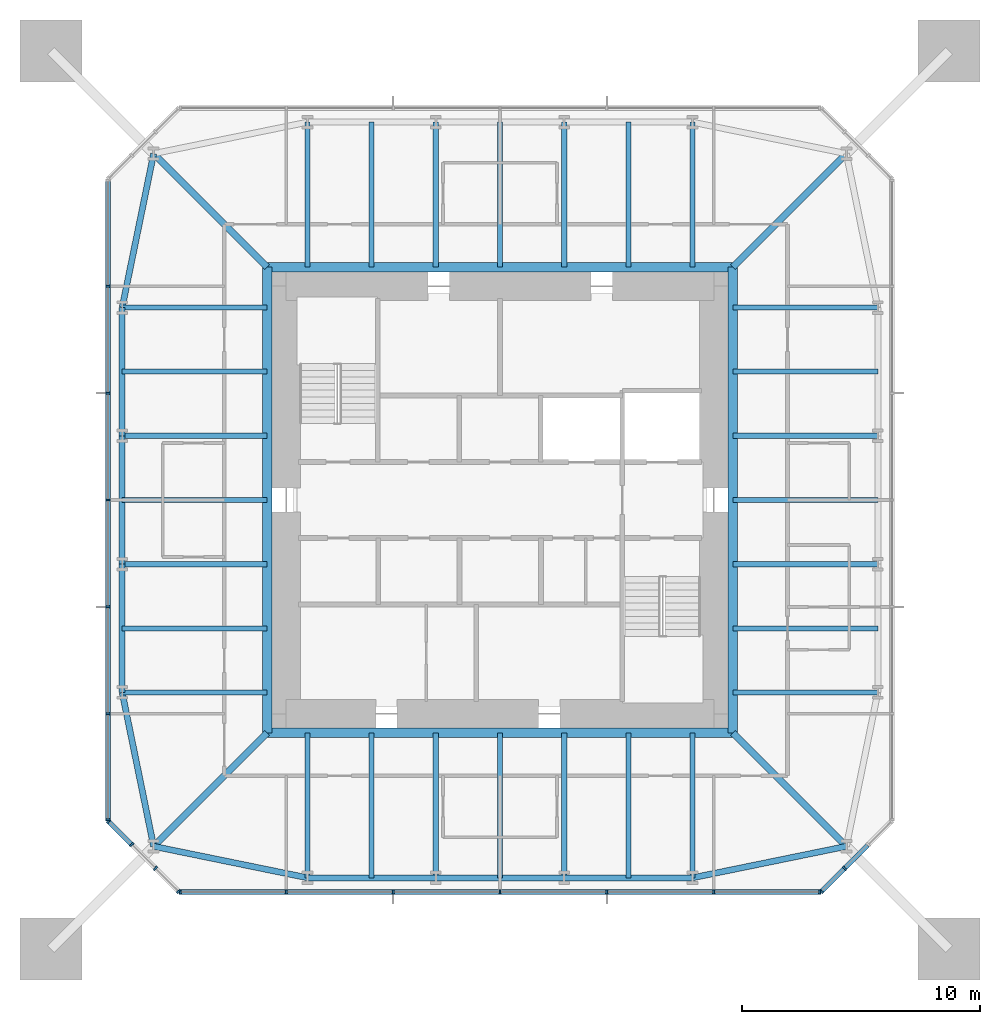
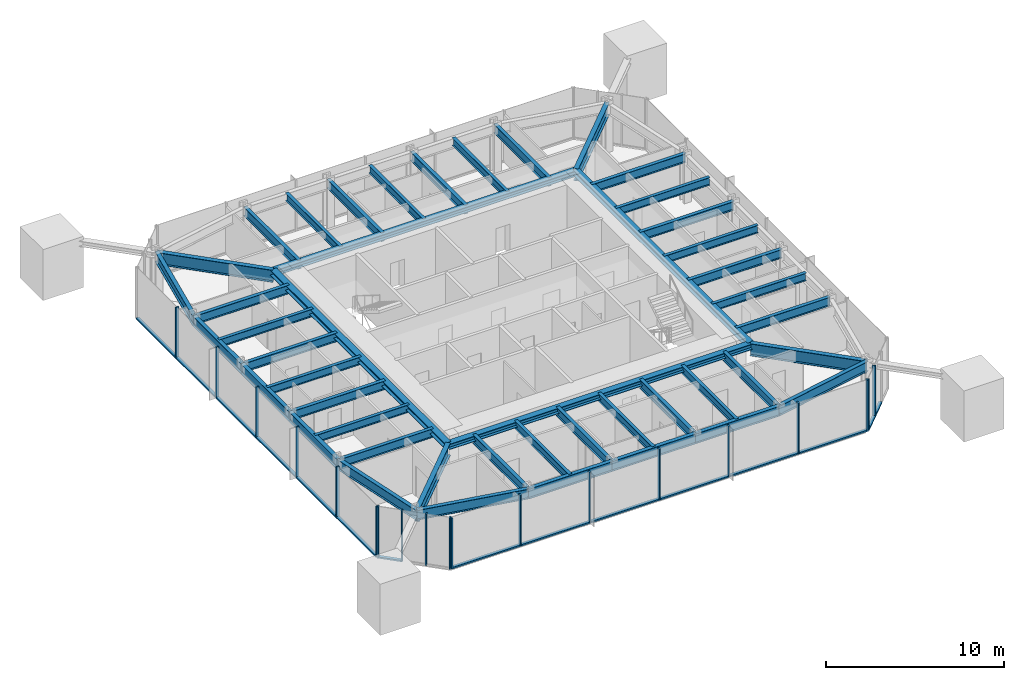
# One storey, part 2 of 9: 46 beams, 34 members, 4 elements without a shape of their own.
"""IFC4 building model written with IfcOpenShell, lengths in metres."""

from ifc_helpers import new_model, si_unit, direction, frame, origin, origin_2d, place, context, subcontext, project, spatial, rectangle, i_section, extrude, material, material_profile, profile_set, type_object, element, aggregate, save


model = new_model("IFC4")

# Units and contexts
model_context = context("Model", 3, precision=1e-05, world=origin(), true_north=direction((0.0, 1.0)))
body_context = subcontext(model_context, "Body", "Model", "MODEL_VIEW")
ifc_project = project(units=[si_unit("LENGTHUNIT", "METRE"), si_unit("AREAUNIT", "SQUARE_METRE"), si_unit("VOLUMEUNIT", "CUBIC_METRE"), si_unit("PLANEANGLEUNIT", "RADIAN"), si_unit("MASSUNIT", "GRAM", prefix="KILO")], contexts=[model_context])

# Site, building, storey
site_placement = place(None, origin())
site = spatial("IfcSite", under=ifc_project, at=site_placement, CompositionType="ELEMENT")
building_placement = place(site_placement, origin())
building = spatial("IfcBuilding", under=site, at=building_placement, Name="Iwan Alto Co-Living Towers", CompositionType="ELEMENT")
storey_placement = place(building_placement, frame((0.0, 0.0, 250.0)))
storey = spatial("IfcBuildingStorey", under=building, at=storey_placement, Name="L68", CompositionType="ELEMENT", Elevation=250.0)

# Curtain wall, members
ifc_material_1 = material(Name="Bronze aluminium unitised frame", Category="aluminium")
curtain_wall_type_1 = type_object("IfcCurtainWallType", Name="CURTAIN WALL CW-A", PredefinedType="NOTDEFINED", material=ifc_material_1)
curtain_wall_1_placement = place(storey_placement, origin())
curtain_wall_1 = element("IfcCurtainWall", 1, at=curtain_wall_1_placement, inside=storey, type_object=curtain_wall_type_1, Name="T1 curtain wall S L68", PredefinedType="NOTDEFINED")
ifc_material_2 = material(Name="Aluminium 6063-T6 bronze anodised", Category="aluminium")
ifc_material_profile_1 = material_profile(ifc_material_2, rectangle(XDim=0.199951171875, YDim=0.080078125, at=origin_2d()), Name="AL 80X200")
ifc_profile_set_1 = profile_set([ifc_material_profile_1], Name="Aluminium 6063-T6 bronze anodised")
member_type_1 = type_object("IfcMemberType", Name="CW-A MULLION 80X200", PredefinedType="MULLION", material=ifc_profile_set_1)
member_1_placement = place(storey_placement, frame((-13.4599609375, -16.5, 0.0), z_axis=(0.0, 0.0, 1.0), x_axis=(0.0, 1.0, 0.0)))
member_1 = element("IfcMember", 2, at=member_1_placement, type_object=member_type_1, Name="CW-A mullion 1", PredefinedType="MULLION", context=body_context, shape_type="SweptSolid", body=[
    extrude(rectangle(XDim=0.199951171875, YDim=0.080078125, at=origin_2d()), origin(), (0.0, 0.0, 1.0), 3.5),
])
member_2_placement = place(storey_placement, frame((-9.0, -16.5, 0.0), z_axis=(0.0, 0.0, 1.0), x_axis=(0.0, 1.0, 0.0)))
member_2 = element("IfcMember", 3, at=member_2_placement, type_object=member_type_1, Name="CW-A mullion 2", PredefinedType="MULLION", context=body_context, shape_type="SweptSolid", body=[
    extrude(rectangle(XDim=0.199951171875, YDim=0.080078125, at=origin_2d()), origin(), (0.0, 0.0, 1.0), 3.5),
])
member_3_placement = place(storey_placement, frame((-4.5, -16.5, 0.0), z_axis=(0.0, 0.0, 1.0), x_axis=(0.0, 1.0, 0.0)))
member_3 = element("IfcMember", 4, at=member_3_placement, type_object=member_type_1, Name="CW-A mullion 3", PredefinedType="MULLION", context=body_context, shape_type="SweptSolid", body=[
    extrude(rectangle(XDim=0.199951171875, YDim=0.080078125, at=origin_2d()), origin(), (0.0, 0.0, 1.0), 3.5),
])
member_4_placement = place(storey_placement, frame((0.0, -16.5, 0.0), z_axis=(0.0, 0.0, 1.0), x_axis=(0.0, 1.0, 0.0)))
member_4 = element("IfcMember", 5, at=member_4_placement, type_object=member_type_1, Name="CW-A mullion 4", PredefinedType="MULLION", context=body_context, shape_type="SweptSolid", body=[
    extrude(rectangle(XDim=0.199951171875, YDim=0.080078125, at=origin_2d()), origin(), (0.0, 0.0, 1.0), 3.5),
])
member_5_placement = place(storey_placement, frame((4.5, -16.5, 0.0), z_axis=(0.0, 0.0, 1.0), x_axis=(0.0, 1.0, 0.0)))
member_5 = element("IfcMember", 6, at=member_5_placement, type_object=member_type_1, Name="CW-A mullion 5", PredefinedType="MULLION", context=body_context, shape_type="SweptSolid", body=[
    extrude(rectangle(XDim=0.199951171875, YDim=0.080078125, at=origin_2d()), origin(), (0.0, 0.0, 1.0), 3.5),
])
member_6_placement = place(storey_placement, frame((9.0, -16.5, 0.0), z_axis=(0.0, 0.0, 1.0), x_axis=(0.0, 1.0, 0.0)))
member_6 = element("IfcMember", 7, at=member_6_placement, type_object=member_type_1, Name="CW-A mullion 6", PredefinedType="MULLION", context=body_context, shape_type="SweptSolid", body=[
    extrude(rectangle(XDim=0.199951171875, YDim=0.080078125, at=origin_2d()), origin(), (0.0, 0.0, 1.0), 3.5),
])
member_7_placement = place(storey_placement, frame((13.4599609375, -16.5, 0.0), z_axis=(0.0, 0.0, 1.0), x_axis=(0.0, 1.0, 0.0)))
member_7 = element("IfcMember", 8, at=member_7_placement, type_object=member_type_1, Name="CW-A mullion 7", PredefinedType="MULLION", context=body_context, shape_type="SweptSolid", body=[
    extrude(rectangle(XDim=0.199951171875, YDim=0.080078125, at=origin_2d()), origin(), (0.0, 0.0, 1.0), 3.5),
])

curtain_wall_2_placement = place(storey_placement, origin())
curtain_wall_2 = element("IfcCurtainWall", 9, at=curtain_wall_2_placement, inside=storey, type_object=curtain_wall_type_1, Name="T1 curtain wall W L68", PredefinedType="NOTDEFINED")
member_8_placement = place(storey_placement, frame((-16.5, 9.0, 0.0), z_axis=(0.0, 0.0, 1.0), x_axis=(1.0, 0.0, 0.0)))
member_8 = element("IfcMember", 10, at=member_8_placement, type_object=member_type_1, Name="CW-A mullion 2", PredefinedType="MULLION", context=body_context, shape_type="SweptSolid", body=[
    extrude(rectangle(XDim=0.199951171875, YDim=0.080078125, at=origin_2d()), origin(), (0.0, 0.0, 1.0), 3.5),
])
member_9_placement = place(storey_placement, frame((-16.5, 4.5, 0.0), z_axis=(0.0, 0.0, 1.0), x_axis=(1.0, 0.0, 0.0)))
member_9 = element("IfcMember", 11, at=member_9_placement, type_object=member_type_1, Name="CW-A mullion 3", PredefinedType="MULLION", context=body_context, shape_type="SweptSolid", body=[
    extrude(rectangle(XDim=0.199951171875, YDim=0.080078125, at=origin_2d()), origin(), (0.0, 0.0, 1.0), 3.5),
])
member_10_placement = place(storey_placement, frame((-16.5, 0.0, 0.0), z_axis=(0.0, 0.0, 1.0), x_axis=(1.0, 0.0, 0.0)))
member_10 = element("IfcMember", 12, at=member_10_placement, type_object=member_type_1, Name="CW-A mullion 4", PredefinedType="MULLION", context=body_context, shape_type="SweptSolid", body=[
    extrude(rectangle(XDim=0.199951171875, YDim=0.080078125, at=origin_2d()), origin(), (0.0, 0.0, 1.0), 3.5),
])
member_11_placement = place(storey_placement, frame((-16.5, -4.5, 0.0), z_axis=(0.0, 0.0, 1.0), x_axis=(1.0, 0.0, 0.0)))
member_11 = element("IfcMember", 13, at=member_11_placement, type_object=member_type_1, Name="CW-A mullion 5", PredefinedType="MULLION", context=body_context, shape_type="SweptSolid", body=[
    extrude(rectangle(XDim=0.199951171875, YDim=0.080078125, at=origin_2d()), origin(), (0.0, 0.0, 1.0), 3.5),
])
member_12_placement = place(storey_placement, frame((-16.5, -9.0, 0.0), z_axis=(0.0, 0.0, 1.0), x_axis=(1.0, 0.0, 0.0)))
member_12 = element("IfcMember", 14, at=member_12_placement, type_object=member_type_1, Name="CW-A mullion 6", PredefinedType="MULLION", context=body_context, shape_type="SweptSolid", body=[
    extrude(rectangle(XDim=0.199951171875, YDim=0.080078125, at=origin_2d()), origin(), (0.0, 0.0, 1.0), 3.5),
])
member_13_placement = place(storey_placement, frame((-16.5, -13.4599609375, 0.0), z_axis=(0.0, 0.0, 1.0), x_axis=(1.0, 0.0, 0.0)))
member_13 = element("IfcMember", 15, at=member_13_placement, type_object=member_type_1, Name="CW-A mullion 7", PredefinedType="MULLION", context=body_context, shape_type="SweptSolid", body=[
    extrude(rectangle(XDim=0.199951171875, YDim=0.080078125, at=origin_2d()), origin(), (0.0, 0.0, 1.0), 3.5),
])

# Member
ifc_material_3 = material(Name="Aluminium 6063-T6 bronze anodised", Category="aluminium")
ifc_material_profile_2 = material_profile(ifc_material_3, rectangle(XDim=0.199951171875, YDim=0.10009765625, at=origin_2d()), Name="AL 200X100")
ifc_profile_set_2 = profile_set([ifc_material_profile_2], Name="Aluminium 6063-T6 bronze anodised")
member_type_2 = type_object("IfcMemberType", Name="CW-A TRANSOM 200X100", PredefinedType="USERDEFINED", material=ifc_profile_set_2)
member_14_placement = place(storey_placement, frame((-13.419921875, -16.5, 0.050048828125), z_axis=(1.0, 0.0, 0.0), x_axis=(0.0, 1.0, 0.0)))
member_14 = element("IfcMember", 16, at=member_14_placement, type_object=member_type_2, Name="CW-A transom 1.1", ObjectType="TRANSOM", PredefinedType="USERDEFINED", context=body_context, shape_type="SweptSolid", body=[
    extrude(rectangle(XDim=0.199951171875, YDim=0.10009765625, at=origin_2d()), origin(), (0.0, 0.0, 1.0), 4.3798828125),
])

member_15_placement = place(storey_placement, frame((-8.9599609375, -16.5, 0.050048828125), z_axis=(1.0, 0.0, 0.0), x_axis=(0.0, 1.0, 0.0)))
member_15 = element("IfcMember", 17, at=member_15_placement, type_object=member_type_2, Name="CW-A transom 2.1", ObjectType="TRANSOM", PredefinedType="USERDEFINED", context=body_context, shape_type="SweptSolid", body=[
    extrude(rectangle(XDim=0.199951171875, YDim=0.10009765625, at=origin_2d()), origin(), (0.0, 0.0, 1.0), 4.419921875),
])

member_16_placement = place(storey_placement, frame((-4.4599609375, -16.5, 0.050048828125), z_axis=(1.0, 0.0, 0.0), x_axis=(0.0, 1.0, 0.0)))
member_16 = element("IfcMember", 18, at=member_16_placement, type_object=member_type_2, Name="CW-A transom 3.1", ObjectType="TRANSOM", PredefinedType="USERDEFINED", context=body_context, shape_type="SweptSolid", body=[
    extrude(rectangle(XDim=0.199951171875, YDim=0.10009765625, at=origin_2d()), origin(), (0.0, 0.0, 1.0), 4.419921875),
])

member_17_placement = place(storey_placement, frame((0.0400390625, -16.5, 0.050048828125), z_axis=(1.0, 0.0, 0.0), x_axis=(0.0, 1.0, 0.0)))
member_17 = element("IfcMember", 19, at=member_17_placement, type_object=member_type_2, Name="CW-A transom 4.1", ObjectType="TRANSOM", PredefinedType="USERDEFINED", context=body_context, shape_type="SweptSolid", body=[
    extrude(rectangle(XDim=0.199951171875, YDim=0.10009765625, at=origin_2d()), origin(), (0.0, 0.0, 1.0), 4.419921875),
])

member_18_placement = place(storey_placement, frame((4.5400390625, -16.5, 0.050048828125), z_axis=(1.0, 0.0, 0.0), x_axis=(0.0, 1.0, 0.0)))
member_18 = element("IfcMember", 20, at=member_18_placement, type_object=member_type_2, Name="CW-A transom 5.1", ObjectType="TRANSOM", PredefinedType="USERDEFINED", context=body_context, shape_type="SweptSolid", body=[
    extrude(rectangle(XDim=0.199951171875, YDim=0.10009765625, at=origin_2d()), origin(), (0.0, 0.0, 1.0), 4.419921875),
])

member_19_placement = place(storey_placement, frame((9.0400390625, -16.5, 0.050048828125), z_axis=(1.0, 0.0, 0.0), x_axis=(0.0, 1.0, 0.0)))
member_19 = element("IfcMember", 21, at=member_19_placement, type_object=member_type_2, Name="CW-A transom 6.1", ObjectType="TRANSOM", PredefinedType="USERDEFINED", context=body_context, shape_type="SweptSolid", body=[
    extrude(rectangle(XDim=0.199951171875, YDim=0.10009765625, at=origin_2d()), origin(), (0.0, 0.0, 1.0), 4.3798828125),
])

aggregate(curtain_wall_1, [member_1, member_2, member_3, member_4, member_5, member_6, member_7, member_14, member_15, member_16, member_17, member_18, member_19])

member_20_placement = place(storey_placement, frame((-16.5, 13.419921875, 0.050048828125), z_axis=(0.0, -1.0, 0.0), x_axis=(1.0, 0.0, 0.0)))
member_20 = element("IfcMember", 22, at=member_20_placement, type_object=member_type_2, Name="CW-A transom 1.1", ObjectType="TRANSOM", PredefinedType="USERDEFINED", context=body_context, shape_type="SweptSolid", body=[
    extrude(rectangle(XDim=0.199951171875, YDim=0.10009765625, at=origin_2d()), origin(), (0.0, 0.0, 1.0), 4.3798828125),
])

member_21_placement = place(storey_placement, frame((-16.5, 8.9599609375, 0.050048828125), z_axis=(0.0, -1.0, 0.0), x_axis=(1.0, 0.0, 0.0)))
member_21 = element("IfcMember", 23, at=member_21_placement, type_object=member_type_2, Name="CW-A transom 2.1", ObjectType="TRANSOM", PredefinedType="USERDEFINED", context=body_context, shape_type="SweptSolid", body=[
    extrude(rectangle(XDim=0.199951171875, YDim=0.10009765625, at=origin_2d()), origin(), (0.0, 0.0, 1.0), 4.419921875),
])

member_22_placement = place(storey_placement, frame((-16.5, 4.4599609375, 0.050048828125), z_axis=(0.0, -1.0, 0.0), x_axis=(1.0, 0.0, 0.0)))
member_22 = element("IfcMember", 24, at=member_22_placement, type_object=member_type_2, Name="CW-A transom 3.1", ObjectType="TRANSOM", PredefinedType="USERDEFINED", context=body_context, shape_type="SweptSolid", body=[
    extrude(rectangle(XDim=0.199951171875, YDim=0.10009765625, at=origin_2d()), origin(), (0.0, 0.0, 1.0), 4.419921875),
])

member_23_placement = place(storey_placement, frame((-16.5, -0.0400390625, 0.050048828125), z_axis=(0.0, -1.0, 0.0), x_axis=(1.0, 0.0, 0.0)))
member_23 = element("IfcMember", 25, at=member_23_placement, type_object=member_type_2, Name="CW-A transom 4.1", ObjectType="TRANSOM", PredefinedType="USERDEFINED", context=body_context, shape_type="SweptSolid", body=[
    extrude(rectangle(XDim=0.199951171875, YDim=0.10009765625, at=origin_2d()), origin(), (0.0, 0.0, 1.0), 4.419921875),
])

member_24_placement = place(storey_placement, frame((-16.5, -4.5400390625, 0.050048828125), z_axis=(0.0, -1.0, 0.0), x_axis=(1.0, 0.0, 0.0)))
member_24 = element("IfcMember", 26, at=member_24_placement, type_object=member_type_2, Name="CW-A transom 5.1", ObjectType="TRANSOM", PredefinedType="USERDEFINED", context=body_context, shape_type="SweptSolid", body=[
    extrude(rectangle(XDim=0.199951171875, YDim=0.10009765625, at=origin_2d()), origin(), (0.0, 0.0, 1.0), 4.419921875),
])

member_25_placement = place(storey_placement, frame((-16.5, -9.0400390625, 0.050048828125), z_axis=(0.0, -1.0, 0.0), x_axis=(1.0, 0.0, 0.0)))
member_25 = element("IfcMember", 27, at=member_25_placement, type_object=member_type_2, Name="CW-A transom 6.1", ObjectType="TRANSOM", PredefinedType="USERDEFINED", context=body_context, shape_type="SweptSolid", body=[
    extrude(rectangle(XDim=0.199951171875, YDim=0.10009765625, at=origin_2d()), origin(), (0.0, 0.0, 1.0), 4.3798828125),
])

aggregate(curtain_wall_2, [member_8, member_9, member_10, member_11, member_12, member_13, member_20, member_21, member_22, member_23, member_24, member_25])

# Curtain wall, members
ifc_material_4 = material(Name="Bronze aluminium unitised frame", Category="aluminium")
curtain_wall_type_2 = type_object("IfcCurtainWallType", Name="CURTAIN WALL CW-B", PredefinedType="NOTDEFINED", material=ifc_material_4)
curtain_wall_3_placement = place(storey_placement, origin())
curtain_wall_3 = element("IfcCurtainWall", 28, at=curtain_wall_3_placement, inside=storey, type_object=curtain_wall_type_2, Name="T1 chamfer curtain wall SE L68", PredefinedType="NOTDEFINED")
ifc_material_5 = material(Name="Aluminium 6063-T6 bronze anodised", Category="aluminium")
ifc_material_profile_3 = material_profile(ifc_material_5, rectangle(XDim=0.199951171875, YDim=0.080078125, at=origin_2d()), Name="AL 80X200")
ifc_profile_set_3 = profile_set([ifc_material_profile_3], Name="Aluminium 6063-T6 bronze anodised")
member_type_3 = type_object("IfcMemberType", Name="CW-B MULLION 80X200", PredefinedType="MULLION", material=ifc_profile_set_3)
member_26_placement = place(storey_placement, frame((13.5283203125, -16.4716796875, 0.0), z_axis=(0.0, 0.0, 1.0), x_axis=(-0.707106781187, 0.707106781187, 0.0)))
member_26 = element("IfcMember", 29, at=member_26_placement, type_object=member_type_3, Name="CW-B mullion 1", PredefinedType="MULLION", context=body_context, shape_type="SweptSolid", body=[
    extrude(rectangle(XDim=0.199951171875, YDim=0.080078125, at=origin_2d()), origin(), (0.0, 0.0, 1.0), 3.5),
])
member_27_placement = place(storey_placement, frame((14.5, -15.5, 0.0), z_axis=(0.0, 0.0, 1.0), x_axis=(-0.707106781187, 0.707106781187, 0.0)))
member_27 = element("IfcMember", 30, at=member_27_placement, type_object=member_type_3, Name="CW-B mullion 2", PredefinedType="MULLION", context=body_context, shape_type="SweptSolid", body=[
    extrude(rectangle(XDim=0.199951171875, YDim=0.080078125, at=origin_2d()), origin(), (0.0, 0.0, 1.0), 3.5),
])

curtain_wall_4_placement = place(storey_placement, origin())
curtain_wall_4 = element("IfcCurtainWall", 31, at=curtain_wall_4_placement, inside=storey, type_object=curtain_wall_type_2, Name="T1 chamfer curtain wall SW L68", PredefinedType="NOTDEFINED")
member_28_placement = place(storey_placement, frame((-16.4716796875, -13.5283203125, 0.0), z_axis=(0.0, 0.0, 1.0), x_axis=(0.707106781187, 0.707106781187, 0.0)))
member_28 = element("IfcMember", 32, at=member_28_placement, type_object=member_type_3, Name="CW-B mullion 1", PredefinedType="MULLION", context=body_context, shape_type="SweptSolid", body=[
    extrude(rectangle(XDim=0.199951171875, YDim=0.080078125, at=origin_2d()), origin(), (0.0, 0.0, 1.0), 3.5),
])
member_29_placement = place(storey_placement, frame((-15.5, -14.5, 0.0), z_axis=(0.0, 0.0, 1.0), x_axis=(0.707106781187, 0.707106781187, 0.0)))
member_29 = element("IfcMember", 33, at=member_29_placement, type_object=member_type_3, Name="CW-B mullion 2", PredefinedType="MULLION", context=body_context, shape_type="SweptSolid", body=[
    extrude(rectangle(XDim=0.199951171875, YDim=0.080078125, at=origin_2d()), origin(), (0.0, 0.0, 1.0), 3.5),
])
member_30_placement = place(storey_placement, frame((-14.5, -15.5, 0.0), z_axis=(0.0, 0.0, 1.0), x_axis=(0.707106781187, 0.707106781187, 0.0)))
member_30 = element("IfcMember", 34, at=member_30_placement, type_object=member_type_3, Name="CW-B mullion 3", PredefinedType="MULLION", context=body_context, shape_type="SweptSolid", body=[
    extrude(rectangle(XDim=0.199951171875, YDim=0.080078125, at=origin_2d()), origin(), (0.0, 0.0, 1.0), 3.5),
])
member_31_placement = place(storey_placement, frame((-13.5283203125, -16.4716796875, 0.0), z_axis=(0.0, 0.0, 1.0), x_axis=(0.707106781187, 0.707106781187, 0.0)))
member_31 = element("IfcMember", 35, at=member_31_placement, type_object=member_type_3, Name="CW-B mullion 4", PredefinedType="MULLION", context=body_context, shape_type="SweptSolid", body=[
    extrude(rectangle(XDim=0.199951171875, YDim=0.080078125, at=origin_2d()), origin(), (0.0, 0.0, 1.0), 3.5),
])

# Member
ifc_material_6 = material(Name="Aluminium 6063-T6 bronze anodised", Category="aluminium")
ifc_material_profile_4 = material_profile(ifc_material_6, rectangle(XDim=0.199951171875, YDim=0.10009765625, at=origin_2d()), Name="AL 200X100")
ifc_profile_set_4 = profile_set([ifc_material_profile_4], Name="Aluminium 6063-T6 bronze anodised")
member_type_4 = type_object("IfcMemberType", Name="CW-B TRANSOM 200X100", PredefinedType="USERDEFINED", material=ifc_profile_set_4)
member_32_placement = place(storey_placement, frame((13.556640625, -16.443359375, 0.050048828125), z_axis=(0.707106781187, 0.707106781187, 0.0), x_axis=(-0.707106781187, 0.707106781187, 0.0)))
member_32 = element("IfcMember", 36, at=member_32_placement, type_object=member_type_4, Name="CW-B transom 1.1", ObjectType="TRANSOM", PredefinedType="USERDEFINED", context=body_context, shape_type="SweptSolid", body=[
    extrude(rectangle(XDim=0.199951171875, YDim=0.10009765625, at=origin_2d()), origin(), (0.0, 0.0, 1.0), 1.2939453125),
])

member_33_placement = place(storey_placement, frame((14.5283203125, -15.4716796875, 0.050048828125), z_axis=(0.707106781187, 0.707106781187, 0.0), x_axis=(-0.707106781187, 0.707106781187, 0.0)))
member_33 = element("IfcMember", 37, at=member_33_placement, type_object=member_type_4, Name="CW-B transom 2.1", ObjectType="TRANSOM", PredefinedType="USERDEFINED", context=body_context, shape_type="SweptSolid", body=[
    extrude(rectangle(XDim=0.199951171875, YDim=0.10009765625, at=origin_2d()), origin(), (0.0, 0.0, 1.0), 1.334228515625),
])

aggregate(curtain_wall_3, [member_26, member_27, member_32, member_33])

member_34_placement = place(storey_placement, frame((-16.443359375, -13.556640625, 0.050048828125), z_axis=(0.707106781187, -0.707106781187, 0.0), x_axis=(0.707106781187, 0.707106781187, 0.0)))
member_34 = element("IfcMember", 38, at=member_34_placement, type_object=member_type_4, Name="CW-B transom 1.1", ObjectType="TRANSOM", PredefinedType="USERDEFINED", context=body_context, shape_type="SweptSolid", body=[
    extrude(rectangle(XDim=0.199951171875, YDim=0.10009765625, at=origin_2d()), origin(), (0.0, 0.0, 1.0), 1.2939453125),
])

aggregate(curtain_wall_4, [member_28, member_29, member_30, member_31, member_34])

# Beams
ifc_material_7 = material(Name="Steel ASTM A992 Gr 50", Category="steel")
ifc_material_profile_5 = material_profile(ifc_material_7, i_section(OverallWidth=0.398681640625, OverallDepth=0.385986328125, WebThickness=0.02099609375, FlangeThickness=0.033203125, at=origin_2d()), Name="W14X176")
ifc_profile_set_5 = profile_set([ifc_material_profile_5], Name="Steel ASTM A992 Gr 50")
beam_type_1 = type_object("IfcBeamType", Name="T1 CORE LEDGER BEAM W14X176", PredefinedType="BEAM", material=ifc_profile_set_5)
for number, where, z_axis, x_axis, name in (
    (39, (-9.79931640625, -9.79931640625, 3.076904296875), (1.0, 0.0, 0.0), (0.0, 1.0, 0.0), "T1 core ledger beam S L69"),
    (40, (9.79931640625, -9.79931640625, 3.076904296875), (0.0, 1.0, 0.0), (-1.0, 0.0, 0.0), "T1 core ledger beam E L69"),
    (41, (9.79931640625, 9.79931640625, 3.076904296875), (-1.0, 0.0, 0.0), (0.0, -1.0, 0.0), "T1 core ledger beam N L69"),
    (42, (-9.79931640625, 9.79931640625, 3.076904296875), (0.0, -1.0, 0.0), (1.0, 0.0, 0.0), "T1 core ledger beam W L69"),
):
    element("IfcBeam", number, at=place(storey_placement, frame(where, z_axis=z_axis, x_axis=x_axis)), inside=storey, type_object=beam_type_1, Name=name, PredefinedType="BEAM", context=body_context, shape_type="SweptSolid", body=[
        extrude(i_section(OverallWidth=0.398681640625, OverallDepth=0.385986328125, WebThickness=0.02099609375, FlangeThickness=0.033203125, at=origin_2d()), origin(), (0.0, 0.0, 1.0), 19.5986328125),
    ])
ifc_material_8 = material(Name="Steel ASTM A992 Gr 50", Category="steel")
ifc_material_profile_6 = material_profile(ifc_material_8, i_section(OverallWidth=0.2919921875, OverallDepth=0.8408203125, WebThickness=0.0146484375, FlangeThickness=0.021728515625, at=origin_2d()), Name="W33X130")
ifc_profile_set_6 = profile_set([ifc_material_profile_6], Name="Steel ASTM A992 Gr 50")
beam_type_2 = type_object("IfcBeamType", Name="T1 CORNER GIRDER W33X130", PredefinedType="BEAM", material=ifc_profile_set_6)
for number, where, z_axis, x_axis, name in (
    (43, (-14.57568359375, -14.57568359375, 2.849609375), (0.707106781187, 0.707106781187, 0.0), (-0.707106781187, 0.707106781187, 0.0), "T1 corner girder CSW L69"),
    (44, (14.57568359375, -14.57568359375, 2.849609375), (-0.707106781187, 0.707106781187, 0.0), (-0.707106781187, -0.707106781187, 0.0), "T1 corner girder CSE L69"),
    (45, (14.57568359375, 14.57568359375, 2.849609375), (-0.707106781187, -0.707106781187, 0.0), (0.707106781187, -0.707106781187, 0.0), "T1 corner girder CNE L69"),
    (46, (-14.57568359375, 14.57568359375, 2.849609375), (0.707106781187, -0.707106781187, 0.0), (0.707106781187, 0.707106781187, 0.0), "T1 corner girder CNW L69"),
):
    element("IfcBeam", number, at=place(storey_placement, frame(where, z_axis=z_axis, x_axis=x_axis)), inside=storey, type_object=beam_type_2, Name=name, PredefinedType="BEAM", context=body_context, shape_type="SweptSolid", body=[
        extrude(i_section(OverallWidth=0.2919921875, OverallDepth=0.8408203125, WebThickness=0.0146484375, FlangeThickness=0.021728515625, at=origin_2d()), origin(), (0.0, 0.0, 1.0), 6.7548828125),
    ])
ifc_material_9 = material(Name="Steel ASTM A992 Gr 50", Category="steel")
ifc_material_profile_7 = material_profile(ifc_material_9, i_section(OverallWidth=0.25390625, OverallDepth=0.683349609375, WebThickness=0.012451171875, FlangeThickness=0.018798828125, at=origin_2d()), Name="W27X94")
ifc_profile_set_7 = profile_set([ifc_material_profile_7], Name="Steel ASTM A992 Gr 50")
beam_type_3 = type_object("IfcBeamType", Name="T1 EDGE BEAM W27X94", PredefinedType="BEAM", material=ifc_profile_set_7)
beam_1_placement = place(storey_placement, frame((-14.57568359375, -14.57568359375, 2.928466796875), z_axis=(0.979724820103, -0.200347889618, 0.0), x_axis=(0.200347889618, 0.979724820103, 0.0)))
element("IfcBeam", 47, at=beam_1_placement, inside=storey, type_object=beam_type_3, Name="T1 edge beam CSW L69", PredefinedType="BEAM", context=body_context, shape_type="SweptSolid", body=[
    extrude(i_section(OverallWidth=0.25390625, OverallDepth=0.683349609375, WebThickness=0.012451171875, FlangeThickness=0.018798828125, at=origin_2d()), origin(), (0.0, 0.0, 1.0), 6.609619140625),
])
beam_2_placement = place(storey_placement, frame((-8.10009765625, -15.89990234375, 2.928466796875), z_axis=(1.0, 0.0, 0.0), x_axis=(0.0, 1.0, 0.0)))
element("IfcBeam", 48, at=beam_2_placement, inside=storey, type_object=beam_type_3, Name="T1 edge beam S1 L69", PredefinedType="BEAM", context=body_context, shape_type="SweptSolid", body=[
    extrude(i_section(OverallWidth=0.25390625, OverallDepth=0.683349609375, WebThickness=0.012451171875, FlangeThickness=0.018798828125, at=origin_2d()), origin(), (0.0, 0.0, 1.0), 5.400146484375),
])
beam_3_placement = place(storey_placement, frame((-2.699951171875, -15.89990234375, 2.928466796875), z_axis=(1.0, 0.0, 0.0), x_axis=(0.0, 1.0, 0.0)))
element("IfcBeam", 49, at=beam_3_placement, inside=storey, type_object=beam_type_3, Name="T1 edge beam S2 L69", PredefinedType="BEAM", context=body_context, shape_type="SweptSolid", body=[
    extrude(i_section(OverallWidth=0.25390625, OverallDepth=0.683349609375, WebThickness=0.012451171875, FlangeThickness=0.018798828125, at=origin_2d()), origin(), (0.0, 0.0, 1.0), 5.39990234375),
])
beam_4_placement = place(storey_placement, frame((2.699951171875, -15.89990234375, 2.928466796875), z_axis=(1.0, 0.0, 0.0), x_axis=(0.0, 1.0, 0.0)))
element("IfcBeam", 50, at=beam_4_placement, inside=storey, type_object=beam_type_3, Name="T1 edge beam S3 L69", PredefinedType="BEAM", context=body_context, shape_type="SweptSolid", body=[
    extrude(i_section(OverallWidth=0.25390625, OverallDepth=0.683349609375, WebThickness=0.012451171875, FlangeThickness=0.018798828125, at=origin_2d()), origin(), (0.0, 0.0, 1.0), 5.400146484375),
])
for number, where, z_axis, x_axis, name in (
    (51, (8.10009765625, -15.89990234375, 2.928466796875), (0.979724820103, 0.200347889618, 0.0), (-0.200347889618, 0.979724820103, 0.0), "T1 edge beam S4 L69"),
    (52, (-14.57568359375, 14.57568359375, 2.928466796875), (-0.200347889618, -0.979724820103, 0.0), (0.979724820103, -0.200347889618, 0.0), "T1 edge beam CNW L69"),
):
    element("IfcBeam", number, at=place(storey_placement, frame(where, z_axis=z_axis, x_axis=x_axis)), inside=storey, type_object=beam_type_3, Name=name, PredefinedType="BEAM", context=body_context, shape_type="SweptSolid", body=[
        extrude(i_section(OverallWidth=0.25390625, OverallDepth=0.683349609375, WebThickness=0.012451171875, FlangeThickness=0.018798828125, at=origin_2d()), origin(), (0.0, 0.0, 1.0), 6.609619140625),
    ])
beam_5_placement = place(storey_placement, frame((-15.89990234375, 8.10009765625, 2.928466796875), z_axis=(0.0, -1.0, 0.0), x_axis=(1.0, 0.0, 0.0)))
element("IfcBeam", 53, at=beam_5_placement, inside=storey, type_object=beam_type_3, Name="T1 edge beam W1 L69", PredefinedType="BEAM", context=body_context, shape_type="SweptSolid", body=[
    extrude(i_section(OverallWidth=0.25390625, OverallDepth=0.683349609375, WebThickness=0.012451171875, FlangeThickness=0.018798828125, at=origin_2d()), origin(), (0.0, 0.0, 1.0), 5.400146484375),
])
beam_6_placement = place(storey_placement, frame((-15.89990234375, 2.699951171875, 2.928466796875), z_axis=(0.0, -1.0, 0.0), x_axis=(1.0, 0.0, 0.0)))
element("IfcBeam", 54, at=beam_6_placement, inside=storey, type_object=beam_type_3, Name="T1 edge beam W2 L69", PredefinedType="BEAM", context=body_context, shape_type="SweptSolid", body=[
    extrude(i_section(OverallWidth=0.25390625, OverallDepth=0.683349609375, WebThickness=0.012451171875, FlangeThickness=0.018798828125, at=origin_2d()), origin(), (0.0, 0.0, 1.0), 5.39990234375),
])
beam_7_placement = place(storey_placement, frame((-15.89990234375, -2.699951171875, 2.928466796875), z_axis=(0.0, -1.0, 0.0), x_axis=(1.0, 0.0, 0.0)))
element("IfcBeam", 55, at=beam_7_placement, inside=storey, type_object=beam_type_3, Name="T1 edge beam W3 L69", PredefinedType="BEAM", context=body_context, shape_type="SweptSolid", body=[
    extrude(i_section(OverallWidth=0.25390625, OverallDepth=0.683349609375, WebThickness=0.012451171875, FlangeThickness=0.018798828125, at=origin_2d()), origin(), (0.0, 0.0, 1.0), 5.400146484375),
])
beam_8_placement = place(storey_placement, frame((-15.89990234375, -8.10009765625, 2.928466796875), z_axis=(0.200347889618, -0.979724820103, 0.0), x_axis=(0.979724820103, 0.200347889618, 0.0)))
element("IfcBeam", 56, at=beam_8_placement, inside=storey, type_object=beam_type_3, Name="T1 edge beam W4 L69", PredefinedType="BEAM", context=body_context, shape_type="SweptSolid", body=[
    extrude(i_section(OverallWidth=0.25390625, OverallDepth=0.683349609375, WebThickness=0.012451171875, FlangeThickness=0.018798828125, at=origin_2d()), origin(), (0.0, 0.0, 1.0), 6.609619140625),
])
ifc_material_10 = material(Name="Steel ASTM A992 Gr 50", Category="steel")
ifc_material_profile_8 = material_profile(ifc_material_10, i_section(OverallWidth=0.228271484375, OverallDepth=0.607177734375, WebThickness=0.01123046875, FlangeThickness=0.017333984375, at=origin_2d()), Name="W24X76")
ifc_profile_set_8 = profile_set([ifc_material_profile_8], Name="Steel ASTM A992 Gr 50")
beam_type_4 = type_object("IfcBeamType", Name="T1 RADIAL BEAM W24X76", PredefinedType="BEAM", material=ifc_profile_set_8)
for number, where, z_axis, x_axis, name in (
    (57, (-8.10009765625, -15.89990234375, 2.966552734375), (0.0, 1.0, 0.0), (-1.0, 0.0, 0.0), "T1 radial beam S1 L69"),
    (58, (-2.699951171875, -15.89990234375, 2.966552734375), (0.0, 1.0, 0.0), (-1.0, 0.0, 0.0), "T1 radial beam S2 L69"),
    (59, (2.699951171875, -15.89990234375, 2.966552734375), (0.0, 1.0, 0.0), (-1.0, 0.0, 0.0), "T1 radial beam S3 L69"),
    (60, (8.10009765625, -15.89990234375, 2.966552734375), (0.0, 1.0, 0.0), (-1.0, 0.0, 0.0), "T1 radial beam S4 L69"),
    (61, (15.89990234375, -8.10009765625, 2.966552734375), (-1.0, 0.0, 0.0), (0.0, -1.0, 0.0), "T1 radial beam E1 L69"),
    (62, (15.89990234375, -2.699951171875, 2.966552734375), (-1.0, 0.0, 0.0), (0.0, -1.0, 0.0), "T1 radial beam E2 L69"),
    (63, (15.89990234375, 2.699951171875, 2.966552734375), (-1.0, 0.0, 0.0), (0.0, -1.0, 0.0), "T1 radial beam E3 L69"),
    (64, (15.89990234375, 8.10009765625, 2.966552734375), (-1.0, 0.0, 0.0), (0.0, -1.0, 0.0), "T1 radial beam E4 L69"),
    (65, (8.10009765625, 15.89990234375, 2.966552734375), (0.0, -1.0, 0.0), (1.0, 0.0, 0.0), "T1 radial beam N1 L69"),
    (66, (2.699951171875, 15.89990234375, 2.966552734375), (0.0, -1.0, 0.0), (1.0, 0.0, 0.0), "T1 radial beam N2 L69"),
    (67, (-2.699951171875, 15.89990234375, 2.966552734375), (0.0, -1.0, 0.0), (1.0, 0.0, 0.0), "T1 radial beam N3 L69"),
    (68, (-8.10009765625, 15.89990234375, 2.966552734375), (0.0, -1.0, 0.0), (1.0, 0.0, 0.0), "T1 radial beam N4 L69"),
    (69, (-15.89990234375, 8.10009765625, 2.966552734375), (1.0, 0.0, 0.0), (0.0, 1.0, 0.0), "T1 radial beam W1 L69"),
    (70, (-15.89990234375, 2.699951171875, 2.966552734375), (1.0, 0.0, 0.0), (0.0, 1.0, 0.0), "T1 radial beam W2 L69"),
    (71, (-15.89990234375, -2.699951171875, 2.966552734375), (1.0, 0.0, 0.0), (0.0, 1.0, 0.0), "T1 radial beam W3 L69"),
    (72, (-15.89990234375, -8.10009765625, 2.966552734375), (1.0, 0.0, 0.0), (0.0, 1.0, 0.0), "T1 radial beam W4 L69"),
):
    element("IfcBeam", number, at=place(storey_placement, frame(where, z_axis=z_axis, x_axis=x_axis)), inside=storey, type_object=beam_type_4, Name=name, PredefinedType="BEAM", context=body_context, shape_type="SweptSolid", body=[
        extrude(i_section(OverallWidth=0.228271484375, OverallDepth=0.607177734375, WebThickness=0.01123046875, FlangeThickness=0.017333984375, at=origin_2d()), origin(), (0.0, 0.0, 1.0), 6.1005859375),
    ])
ifc_material_11 = material(Name="Steel ASTM A992 Gr 50", Category="steel")
ifc_material_profile_9 = material_profile(ifc_material_11, i_section(OverallWidth=0.209228515625, OverallDepth=0.533447265625, WebThickness=0.01025390625, FlangeThickness=0.015625, at=origin_2d()), Name="W21X62")
ifc_profile_set_9 = profile_set([ifc_material_profile_9], Name="Steel ASTM A992 Gr 50")
beam_type_5 = type_object("IfcBeamType", Name="T1 SECONDARY BEAM W21X62", PredefinedType="JOIST", material=ifc_profile_set_9)
for number, where, z_axis, x_axis, name in (
    (73, (-5.39990234375, -15.89990234375, 3.00341796875), (0.0, 1.0, 0.0), (-1.0, 0.0, 0.0), "T1 secondary beam S1 L69"),
    (74, (0.0, -15.89990234375, 3.00341796875), (0.0, 1.0, 0.0), (-1.0, 0.0, 0.0), "T1 secondary beam S2 L69"),
    (75, (5.39990234375, -15.89990234375, 3.00341796875), (0.0, 1.0, 0.0), (-1.0, 0.0, 0.0), "T1 secondary beam S3 L69"),
    (76, (15.89990234375, -5.39990234375, 3.00341796875), (-1.0, 0.0, 0.0), (0.0, -1.0, 0.0), "T1 secondary beam E1 L69"),
    (77, (15.89990234375, 0.0, 3.00341796875), (-1.0, 0.0, 0.0), (0.0, -1.0, 0.0), "T1 secondary beam E2 L69"),
    (78, (15.89990234375, 5.39990234375, 3.00341796875), (-1.0, 0.0, 0.0), (0.0, -1.0, 0.0), "T1 secondary beam E3 L69"),
    (79, (5.39990234375, 15.89990234375, 3.00341796875), (0.0, -1.0, 0.0), (1.0, 0.0, 0.0), "T1 secondary beam N1 L69"),
    (80, (0.0, 15.89990234375, 3.00341796875), (0.0, -1.0, 0.0), (1.0, 0.0, 0.0), "T1 secondary beam N2 L69"),
    (81, (-5.39990234375, 15.89990234375, 3.00341796875), (0.0, -1.0, 0.0), (1.0, 0.0, 0.0), "T1 secondary beam N3 L69"),
    (82, (-15.89990234375, 5.39990234375, 3.00341796875), (1.0, 0.0, 0.0), (0.0, 1.0, 0.0), "T1 secondary beam W1 L69"),
    (83, (-15.89990234375, 0.0, 3.00341796875), (1.0, 0.0, 0.0), (0.0, 1.0, 0.0), "T1 secondary beam W2 L69"),
    (84, (-15.89990234375, -5.39990234375, 3.00341796875), (1.0, 0.0, 0.0), (0.0, 1.0, 0.0), "T1 secondary beam W3 L69"),
):
    element("IfcBeam", number, at=place(storey_placement, frame(where, z_axis=z_axis, x_axis=x_axis)), inside=storey, type_object=beam_type_5, Name=name, PredefinedType="JOIST", context=body_context, shape_type="SweptSolid", body=[
        extrude(i_section(OverallWidth=0.209228515625, OverallDepth=0.533447265625, WebThickness=0.01025390625, FlangeThickness=0.015625, at=origin_2d()), origin(), (0.0, 0.0, 1.0), 6.1005859375),
    ])

save(model, "model.ifc")
